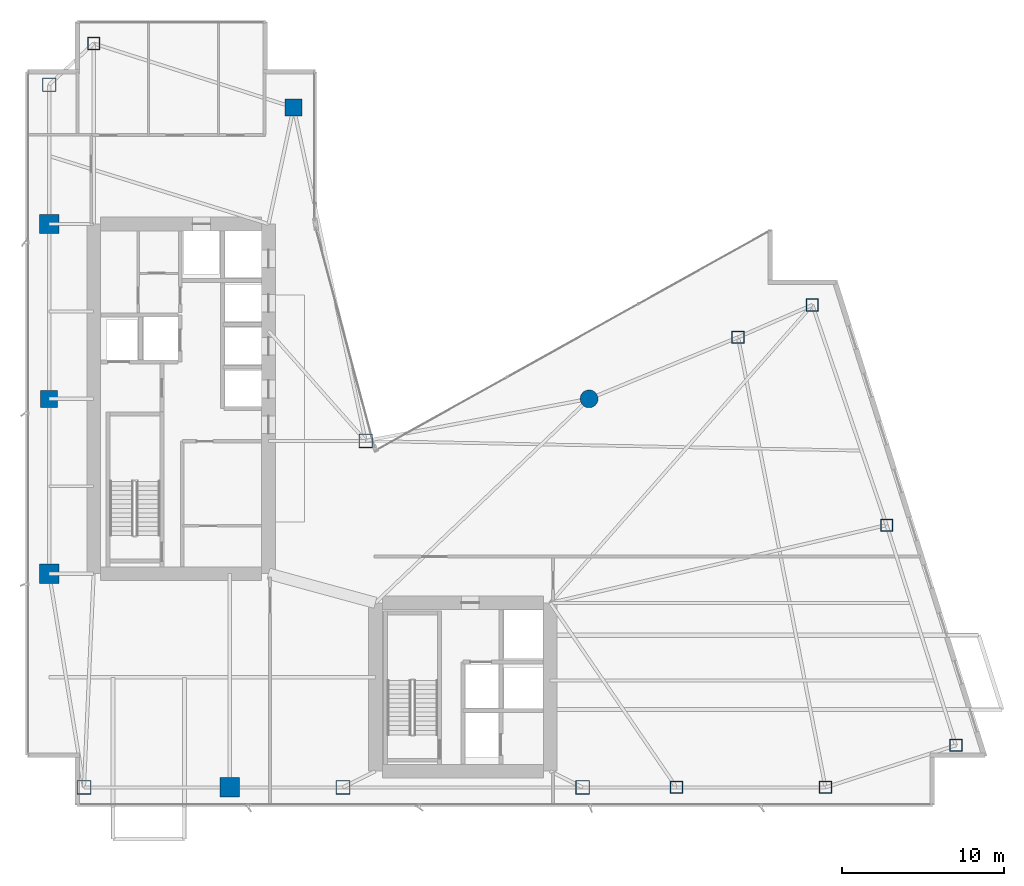
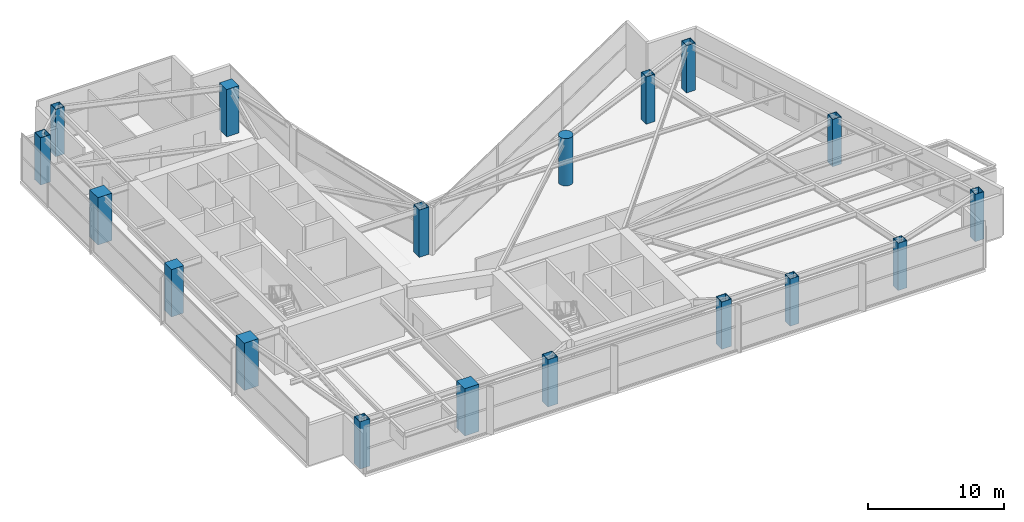
# One storey, part 1 of 26: 18 columns.
"""IFC4 building model written with IfcOpenShell, lengths in metres."""

from ifc_helpers import new_model, si_unit, direction, frame, origin, origin_2d, place, context, subcontext, project, spatial, rectangle, hollow_rectangle, circle, extrude, material, material_profile, profile_set, type_object, element, save


model = new_model("IFC4")

# Units and contexts
model_context = context("Model", 3, precision=1e-05, world=origin(), true_north=direction((0.0, 1.0)))
body_context = subcontext(model_context, "Body", "Model", "MODEL_VIEW")
ifc_project = project(units=[si_unit("LENGTHUNIT", "METRE"), si_unit("AREAUNIT", "SQUARE_METRE"), si_unit("VOLUMEUNIT", "CUBIC_METRE"), si_unit("PLANEANGLEUNIT", "RADIAN"), si_unit("MASSUNIT", "GRAM", prefix="KILO")], contexts=[model_context])

# Site, building, storey
site_placement = place(None, origin())
site = spatial("IfcSite", under=ifc_project, at=site_placement, CompositionType="ELEMENT")
building_placement = place(site_placement, origin())
building = spatial("IfcBuilding", under=site, at=building_placement, Name="Calvorn Quay Hotel", CompositionType="ELEMENT")
storey_placement = place(building_placement, frame((0.0, 0.0, 144.0)))
storey = spatial("IfcBuildingStorey", under=building, at=storey_placement, Name="L35", CompositionType="ELEMENT", Elevation=144.0)

# Columns
ifc_material_1 = material(Name="Concrete C50", Category="concrete")
ifc_material_profile_1 = material_profile(ifc_material_1, rectangle(XDim=1.050048828125, YDim=1.050048828125, at=origin_2d()), Name="RC1050x1050")
ifc_profile_set_1 = profile_set([ifc_material_profile_1], Name="Concrete C50")
column_type_1 = type_object("IfcColumnType", Name="COL-RC-1050", PredefinedType="COLUMN", material=ifc_profile_set_1)
for number, where, z_axis, x_axis, name in (
    (1, (1.449951171875, 27.60009765625, 0.0), (0.0, 0.0, 1.0), (1.0, 0.0, 0.0), "Column C-W3 (L35)"),
    (2, (16.550048828125, 45.60009765625, 0.0), (0.0, 0.0, 1.0), (1.0, 0.0, 0.0), "Column C-IC1 (L35)"),
):
    element("IfcColumn", number, at=place(storey_placement, frame(where, z_axis=z_axis, x_axis=x_axis)), inside=storey, type_object=column_type_1, Name=name, PredefinedType="COLUMN", context=body_context, shape_type="SweptSolid", body=[
        extrude(rectangle(XDim=1.050048828125, YDim=1.050048828125, at=origin_2d()), origin(), (0.0, 0.0, 1.0), 4.260009765625),
    ])
ifc_material_2 = material(Name="Concrete C50", Category="concrete")
ifc_material_profile_2 = material_profile(ifc_material_2, rectangle(XDim=1.199951171875, YDim=1.199951171875, at=origin_2d()), Name="RC1200x1200")
ifc_profile_set_2 = profile_set([ifc_material_profile_2], Name="Concrete C50")
column_type_2 = type_object("IfcColumnType", Name="COL-RC-1200", PredefinedType="COLUMN", material=ifc_profile_set_2)
for number, where, z_axis, x_axis, name in (
    (3, (1.449951171875, 16.800048828125, 0.0), (0.0, 0.0, 1.0), (1.0, 0.0, 0.0), "Column C-W2 (L35)"),
    (4, (1.449951171875, 38.39990234375, 0.0), (0.0, 0.0, 1.0), (1.0, 0.0, 0.0), "Column C-W4 (L35)"),
    (5, (12.60009765625, 3.60009765625, 0.0), (0.0, 0.0, 1.0), (1.0, 0.0, 0.0), "Column C-S1 (L35)"),
):
    element("IfcColumn", number, at=place(storey_placement, frame(where, z_axis=z_axis, x_axis=x_axis)), inside=storey, type_object=column_type_2, Name=name, PredefinedType="COLUMN", context=body_context, shape_type="SweptSolid", body=[
        extrude(rectangle(XDim=1.199951171875, YDim=1.199951171875, at=origin_2d()), origin(), (0.0, 0.0, 1.0), 4.260009765625),
    ])
ifc_material_3 = material(Name="Concrete C50", Category="concrete")
ifc_material_profile_3 = material_profile(ifc_material_3, circle(Radius=0.550048828125, at=origin_2d()), Name="RCD1100")
ifc_profile_set_3 = profile_set([ifc_material_profile_3], Name="Concrete C50")
column_type_3 = type_object("IfcColumnType", Name="COL-RC-D1100", PredefinedType="COLUMN", material=ifc_profile_set_3)
column_placement = place(storey_placement, frame((34.800048828125, 27.60009765625, 0.0), z_axis=(0.0, 0.0, 1.0), x_axis=(1.0, 0.0, 0.0)))
element("IfcColumn", 6, at=column_placement, inside=storey, type_object=column_type_3, Name="Column C-NC1 (L35)", PredefinedType="COLUMN", context=body_context, shape_type="SweptSolid", body=[
    extrude(circle(Radius=0.550048828125, at=origin_2d()), origin(), (0.0, 0.0, 1.0), 4.260009765625),
])
ifc_material_4 = material(Name="Steel Q390GJC", Category="steel")
ifc_material_profile_4 = material_profile(ifc_material_4, hollow_rectangle(XDim=0.85009765625, YDim=0.85009765625, WallThickness=0.035888671875, at=origin_2d()), Name="BOX850x850x36")
ifc_profile_set_4 = profile_set([ifc_material_profile_4], Name="Steel Q390GJC")
column_type_4 = type_object("IfcColumnType", Name="COL-STL-Z2", PredefinedType="COLUMN", material=ifc_profile_set_4)
for number, where, z_axis, x_axis, name in (
    (7, (3.60009765625, 3.60009765625, 0.0), (0.0, 0.0, 1.0), (1.0, 0.0, 0.0), "Column C-W1 (L35)"),
    (8, (1.449951171875, 47.0, 0.0), (0.0, 0.0, 1.0), (1.0, 0.0, 0.0), "Column C-W5 (L35)"),
    (9, (21.0, 25.0, 0.0), (0.0, 0.0, 1.0), (1.0, 0.0, 0.0), "Column C-IC2 (L35)"),
    (10, (19.60009765625, 3.60009765625, 0.0), (0.0, 0.0, 1.0), (1.0, 0.0, 0.0), "Column C-S2 (L35)"),
    (11, (34.39990234375, 3.60009765625, 0.0), (0.0, 0.0, 1.0), (1.0, 0.0, 0.0), "Column C-S3 (L35)"),
):
    element("IfcColumn", number, at=place(storey_placement, frame(where, z_axis=z_axis, x_axis=x_axis)), inside=storey, type_object=column_type_4, Name=name, PredefinedType="COLUMN", context=body_context, shape_type="SweptSolid", body=[
        extrude(hollow_rectangle(XDim=0.85009765625, YDim=0.85009765625, WallThickness=0.035888671875, at=origin_2d()), origin(), (0.0, 0.0, 1.0), 4.260009765625),
    ])
ifc_material_5 = material(Name="Steel Q390GJC", Category="steel")
ifc_material_profile_5 = material_profile(ifc_material_5, hollow_rectangle(XDim=0.75, YDim=0.75, WallThickness=0.031982421875, at=origin_2d()), Name="BOX750x750x32")
ifc_profile_set_5 = profile_set([ifc_material_profile_5], Name="Steel Q390GJC")
column_type_5 = type_object("IfcColumnType", Name="COL-STL-Z3", PredefinedType="COLUMN", material=ifc_profile_set_5)
for number, where, z_axis, x_axis, name in (
    (12, (4.199951171875, 49.550048828125, 0.0), (0.0, 0.0, 1.0), (1.0, 0.0, 0.0), "Column C-NW1 (L35)"),
    (13, (40.199951171875, 3.60009765625, 0.0), (0.0, 0.0, 1.0), (1.0, 0.0, 0.0), "Column C-S4 (L35)"),
    (14, (49.39990234375, 3.60009765625, 0.0), (0.0, 0.0, 1.0), (1.0, 0.0, 0.0), "Column C-S5 (L35)"),
    (15, (44.0, 31.39990234375, 0.0), (0.0, 0.0, 1.0), (1.0, 0.0, 0.0), "Column C-NC2 (L35)"),
    (16, (57.4609375, 6.199951171875, 0.0), (0.0, 0.0, 1.0), (1.0, 0.0, 0.0), "Column C-ET1 (L35)"),
    (17, (53.176025390625, 19.800048828125, 0.0), (0.0, 0.0, 1.0), (1.0, 0.0, 0.0), "Column C-ET2 (L35)"),
    (18, (48.591064453125, 33.39990234375, 0.0), (0.0, 0.0, 1.0), (1.0, 0.0, 0.0), "Column C-ET3 (L35)"),
):
    element("IfcColumn", number, at=place(storey_placement, frame(where, z_axis=z_axis, x_axis=x_axis)), inside=storey, type_object=column_type_5, Name=name, PredefinedType="COLUMN", context=body_context, shape_type="SweptSolid", body=[
        extrude(hollow_rectangle(XDim=0.75, YDim=0.75, WallThickness=0.031982421875, at=origin_2d()), origin(), (0.0, 0.0, 1.0), 4.260009765625),
    ])

save(model, "model.ifc")
